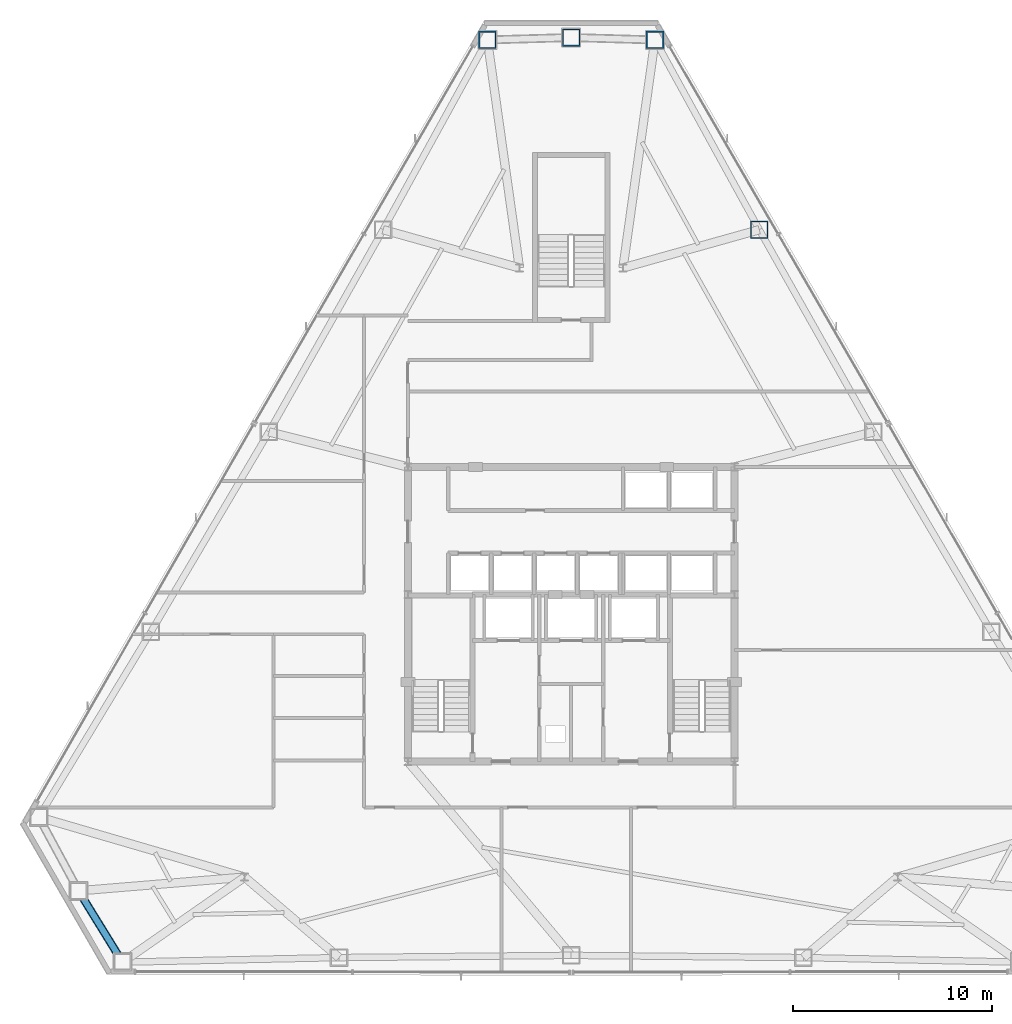
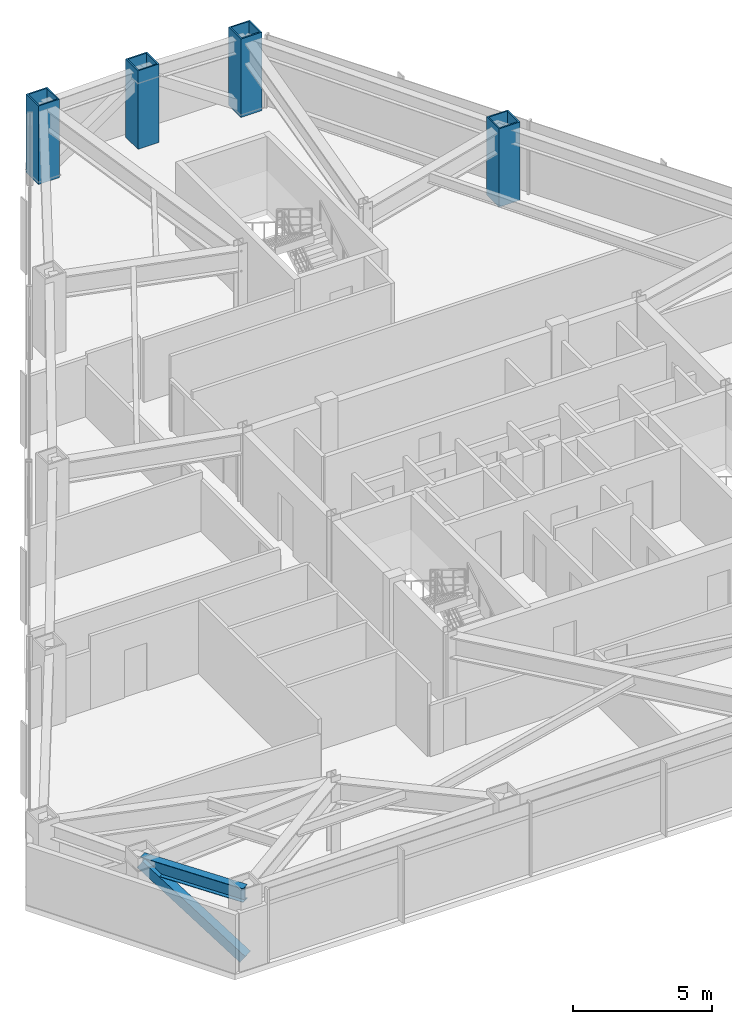
# One storey, part 3 of 12: 4 columns, 1 beam, 1 member.
"""IFC4 building model written with IfcOpenShell, lengths in metres."""

from ifc_helpers import new_model, si_unit, direction, frame, origin, origin_2d, place, context, subcontext, project, spatial, hollow_rectangle, i_section, extrude, source, transform, mapped, material, material_profile, profile_set, type_object, type_shapes, element, save


model = new_model("IFC4")

# Units and contexts
model_context = context("Model", 3, precision=1e-05, world=origin(), true_north=direction((0.0, 1.0)))
body_context = subcontext(model_context, "Body", "Model", "MODEL_VIEW")
ifc_project = project(units=[si_unit("LENGTHUNIT", "METRE"), si_unit("AREAUNIT", "SQUARE_METRE"), si_unit("VOLUMEUNIT", "CUBIC_METRE"), si_unit("PLANEANGLEUNIT", "RADIAN"), si_unit("MASSUNIT", "GRAM", prefix="KILO")], contexts=[model_context])

# Site, building, storey
site_placement = place(None, origin())
site = spatial("IfcSite", under=ifc_project, at=site_placement, CompositionType="ELEMENT")
building_placement = place(site_placement, origin())
building = spatial("IfcBuilding", under=site, at=building_placement, Name="Varakhsha Concourse Tower", CompositionType="ELEMENT")
storey_placement = place(building_placement, frame((0.0, 0.0, 119.449951171875)))
storey = spatial("IfcBuildingStorey", under=building, at=storey_placement, Name="L34", CompositionType="ELEMENT", Elevation=119.449951171875)

# Columns
ifc_material_1 = material(Name="Structural Steel ASTM A572 Grade 50", Category="steel")
ifc_material_profile_1 = material_profile(ifc_material_1, hollow_rectangle(XDim=0.8798828125, YDim=0.8798828125, WallThickness=0.06005859375, at=origin_2d()), Name="BOX 880x880x60")
ifc_profile_set_1 = profile_set([ifc_material_profile_1], Name="Structural Steel ASTM A572 Grade 50")
column_type = type_object("IfcColumnType", Name="CL-TUBE-880", PredefinedType="COLUMN", material=ifc_profile_set_1)
for number, where, z_axis, x_axis, name in (
    (1, (44.208984375, 52.652099609375, 0.0), (0.0, 0.0, 1.0), (1.0, 0.0, 0.0), "L34 Framed-Tube Column TC01"),
    (2, (40.0, 52.773193359375, 0.0), (0.0, 0.0, 1.0), (1.0, 0.0, 0.0), "L34 Framed-Tube Column TC02"),
    (3, (35.791015625, 52.652099609375, 0.0), (0.0, 0.0, 1.0), (1.0, 0.0, 0.0), "L34 Framed-Tube Column TC03"),
    (4, (49.445556640625, 43.120361328125, 0.0), (0.0, 0.0, 1.0), (1.0, 0.0, 0.0), "L34 Framed-Tube Column TC18"),
):
    element("IfcColumn", number, at=place(storey_placement, frame(where, z_axis=z_axis, x_axis=x_axis)), inside=storey, type_object=column_type, Name=name, PredefinedType="COLUMN", context=body_context, shape_type="SweptSolid", body=[
        extrude(hollow_rectangle(XDim=0.8798828125, YDim=0.8798828125, WallThickness=0.06005859375, at=origin_2d()), origin(), (0.0, 0.0, 1.0), 3.449951171875),
    ])

# Beam
ifc_material_2 = material(Name="Structural Steel ASTM A992 Grade 50", Category="steel")
ifc_material_profile_2 = material_profile(ifc_material_2, i_section(OverallWidth=0.323974609375, OverallDepth=0.611083984375, WebThickness=0.012939453125, FlangeThickness=0.01904296875, at=origin_2d()), Name="W24X104")
ifc_profile_set_2 = profile_set([ifc_material_profile_2], Name="Structural Steel ASTM A992 Grade 50")
beam_type = type_object("IfcBeamType", Name="BM-SPAN-W24X104", PredefinedType="SPANDREL", material=ifc_profile_set_2)
beam_placement = place(storey_placement, frame((15.2548828125, 9.913330078125, 2.904541015625), z_axis=(0.524724867896, -0.851271879608, 0.0), x_axis=(0.851271879608, 0.524724867896, 0.0)))
element("IfcBeam", 5, at=beam_placement, inside=storey, type_object=beam_type, Name="BM-SPAN-L34-08", PredefinedType="SPANDREL", context=body_context, shape_type="SweptSolid", body=[
    extrude(i_section(OverallWidth=0.323974609375, OverallDepth=0.611083984375, WebThickness=0.012939453125, FlangeThickness=0.01904296875, at=origin_2d()), origin(), (0.0, 0.0, 1.0), 4.210693359375),
])

# Member
ifc_material_3 = material(Name="Structural Steel ASTM A500 Grade C", Category="steel")
ifc_material_profile_3 = material_profile(ifc_material_3, hollow_rectangle(XDim=0.39990234375, YDim=0.39990234375, WallThickness=0.01611328125, at=origin_2d()), Name="HSS 400x400x16")
ifc_profile_set_3 = profile_set([ifc_material_profile_3], Name="Structural Steel ASTM A500 Grade C")
member_type = type_object("IfcMemberType", Name="MB-TUBE-HSS400", PredefinedType="BRACE", material=ifc_profile_set_3)
shared_shape = source(origin(), body_context, "Body", "SweptSolid", [
    extrude(hollow_rectangle(XDim=0.39990234375, YDim=0.39990234375, WallThickness=0.01611328125, at=origin_2d()), origin(), (0.0, 0.0, 1.0), 5.05126953125),
])
type_shapes(member_type, [shared_shape])
member_placement = place(storey_placement, frame((17.46435546875, 6.328857421875, 0.1201171875), z_axis=(-0.43741616757, 0.709629190306, 0.552352703093), x_axis=(-0.851271879608, -0.524724867896, 0.0)))
element("IfcMember", 6, at=member_placement, inside=storey, type_object=member_type, Name="L34 Wind-Corner Tube Brace B04", PredefinedType="BRACE", context=body_context, shape_type="MappedRepresentation", body=[
    mapped(shared_shape, transform((0.0, 0.0, 0.0), scale=1.0)),
])

save(model, "model.ifc")
